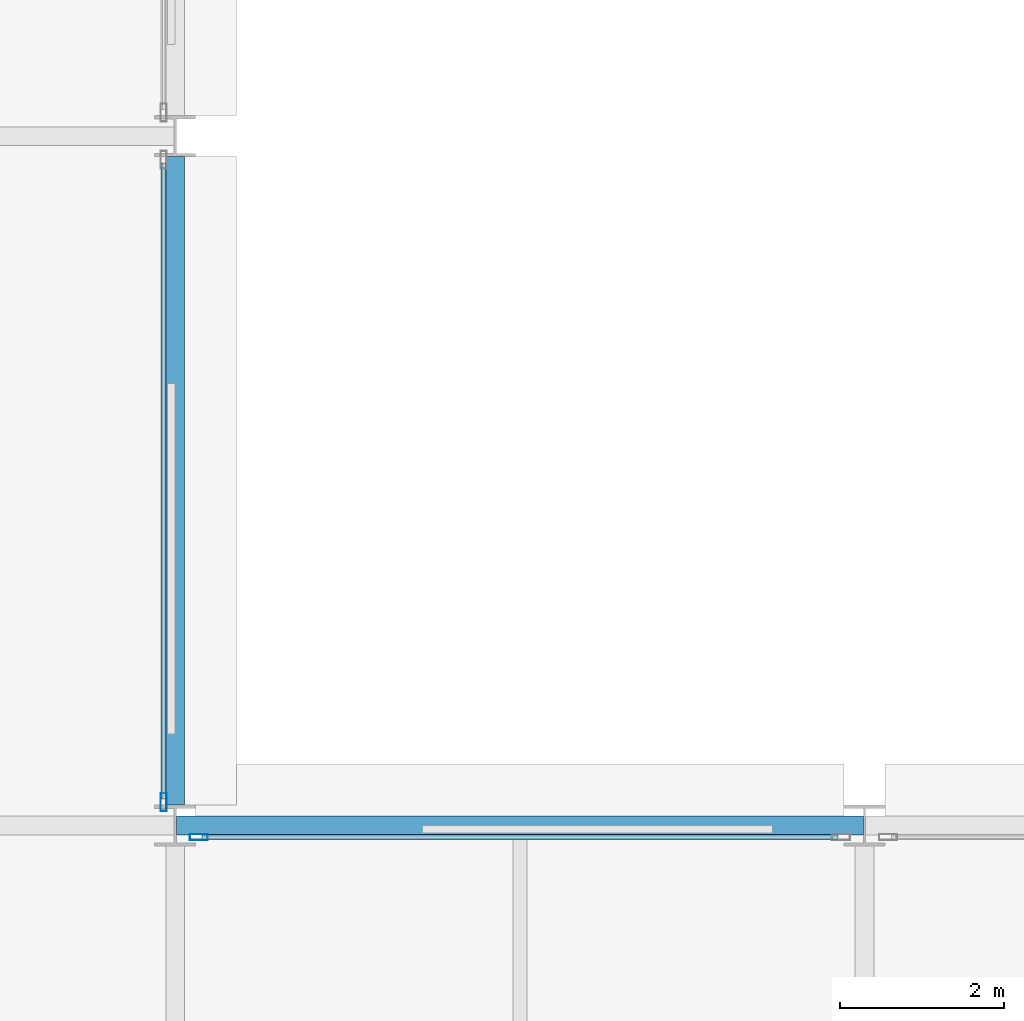
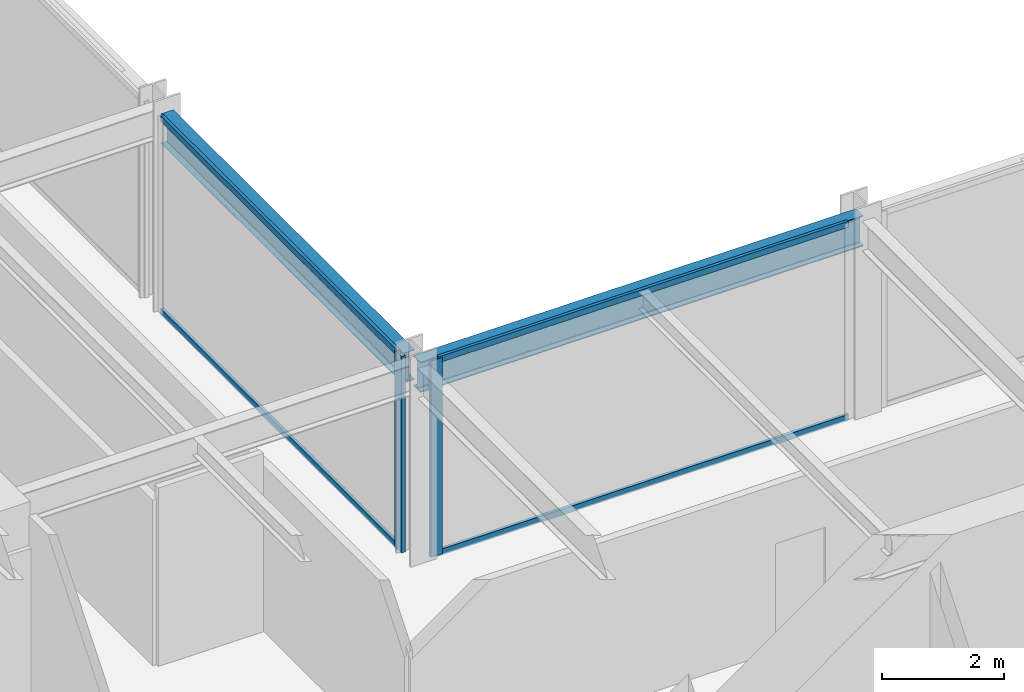
# One storey, part 10 of 27: 6 members, 2 beams, 2 elements without a shape of their own.
"""IFC4 building model written with IfcOpenShell, lengths in metres."""

import ifcopenshell
import ifcopenshell.guid

model = None  # the IFC model being written
_history = None  # IfcOwnerHistory: only IFC2X3 demands one
_inside = {}  # id of a spatial element -> (the spatial element, [elements in it])
_under = {}  # id of a project, library or spatial element -> (it, [spatial elements below it])
_declared = {}  # id of a project -> (the project, [libraries it declares])
_typed = {}  # id of a type object -> (the type object, [elements of that type])
_made_of = {}  # id of a material, layer set ... -> (it, [elements and type objects made of it])


def new_model(schema):
    """Start an empty IFC model of exactly this schema.

    Asked for "IFC4X3", IfcOpenShell would pick the latest addendum, in which some entities
    have other attributes; the version numbers below select the first issue.
    IFC2X3 requires an IfcOwnerHistory on every rooted entity: one is made here for all.
    """
    global model, _history
    if schema == "IFC4X3":
        model = ifcopenshell.file(schema_version=(4, 3, 0, 0))
    else:
        model = ifcopenshell.file(schema=schema)
    _inside.clear()
    _under.clear()
    _declared.clear()
    _typed.clear()
    _made_of.clear()
    _history = None
    if model.schema == "IFC2X3":
        org = make("IfcOrganization", Name="unknown")
        user = make(
            "IfcPersonAndOrganization",
            ThePerson=make("IfcPerson", FamilyName="unknown"),
            TheOrganization=org,
        )
        app = make(
            "IfcApplication",
            ApplicationDeveloper=org,
            Version="unknown",
            ApplicationFullName="unknown",
            ApplicationIdentifier="unknown",
        )
        _history = make(
            "IfcOwnerHistory",
            OwningUser=user,
            OwningApplication=app,
            ChangeAction="ADDED",
            CreationDate=0,
        )
    return model


def make(cls, **values):
    """One entity of the class cls with the attributes given. An attribute that is None is left unset."""
    return model.create_entity(
        cls, **{name: value for name, value in values.items() if value is not None}
    )


def rooted(cls, **values):
    """An entity with a GlobalId (a new one), such as an element, a storey or a relation."""
    return make(cls, GlobalId=ifcopenshell.guid.new(), OwnerHistory=_history, **values)


def si_unit(unit_type, name, prefix=None):
    """IfcSIUnit, for example si_unit("LENGTHUNIT", "METRE", prefix="MILLI")."""
    return make("IfcSIUnit", UnitType=unit_type, Prefix=prefix, Name=name)


def assignment(units):
    """IfcUnitAssignment: the units of a project."""
    return None if units is None else make("IfcUnitAssignment", Units=units)


def point(xyz):
    """IfcCartesianPoint."""
    return None if xyz is None else make("IfcCartesianPoint", Coordinates=xyz)


def direction(xyz):
    """IfcDirection."""
    return None if xyz is None else make("IfcDirection", DirectionRatios=xyz)


def frame(location, z_axis=None, x_axis=None):
    """IfcAxis2Placement3D, a coordinate frame: its origin and axes. An axis left out is left unset."""
    return make(
        "IfcAxis2Placement3D",
        Location=point(location),
        Axis=direction(z_axis),
        RefDirection=direction(x_axis),
    )


def frame_2d(location, x_axis=None):
    """IfcAxis2Placement2D, a coordinate frame in the plane: its origin and x axis."""
    return make(
        "IfcAxis2Placement2D", Location=point(location), RefDirection=direction(x_axis)
    )


def origin():
    """The frame at (0, 0, 0) with its axes left unset."""
    return frame((0.0, 0.0, 0.0))


def origin_2d():
    """The frame at (0, 0) in the plane with its x axis left unset."""
    return frame_2d((0.0, 0.0))


def place(relative_to, where):
    """IfcLocalPlacement: puts the frame where relative to a parent placement (None: the world)."""
    return make(
        "IfcLocalPlacement", PlacementRelTo=relative_to, RelativePlacement=where
    )


def context(
    kind, dimensions, precision=None, world=None, true_north=None, identifier=None
):
    """IfcGeometricRepresentationContext, for example the 3D "Model" context."""
    return make(
        "IfcGeometricRepresentationContext",
        ContextIdentifier=identifier,
        ContextType=kind,
        CoordinateSpaceDimension=dimensions,
        Precision=precision,
        WorldCoordinateSystem=world,
        TrueNorth=true_north,
    )


def subcontext(parent, identifier, kind, view, scale=None):
    """IfcGeometricRepresentationSubContext, for example "Body" below "Model"."""
    return make(
        "IfcGeometricRepresentationSubContext",
        ContextIdentifier=identifier,
        ContextType=kind,
        ParentContext=parent,
        TargetScale=scale,
        TargetView=view,
    )


def project(units=None, contexts=None):
    """IfcProject with its units and contexts."""
    return rooted(
        "IfcProject",
        Name="project",
        RepresentationContexts=contexts,
        UnitsInContext=assignment(units),
    )


def spatial(cls, under=None, at=None, **own):
    """A site, building, storey or space (cls), placed at a placement, below another one or the project."""
    s = rooted(cls, ObjectPlacement=at, **own)
    if under is not None:
        _under.setdefault(under.id(), (under, []))[1].append(s)
    return s


def profile(cls, at=None, kind="AREA", **sizes):
    """A parametric profile (cls). Its sizes go by their IFC names, for example OverallWidth=200.0."""
    return make(cls, ProfileType=kind, Position=at, **sizes)


def hollow_rectangle(**sizes):
    """IfcRectangleHollowProfileDef."""
    return profile("IfcRectangleHollowProfileDef", **sizes)


def i_section(**sizes):
    """IfcIShapeProfileDef."""
    return profile("IfcIShapeProfileDef", **sizes)


def extrude(swept, where, along, depth):
    """IfcExtrudedAreaSolid: the profile swept, set in the frame where, extruded along a direction by depth."""
    return make(
        "IfcExtrudedAreaSolid",
        SweptArea=swept,
        Position=where,
        ExtrudedDirection=direction(along),
        Depth=depth,
    )


def shape(context_of_items, identifier, shape_type, items):
    """IfcShapeRepresentation: the items that make up one representation, for example the "Body"."""
    return make(
        "IfcShapeRepresentation",
        ContextOfItems=context_of_items,
        RepresentationIdentifier=identifier,
        RepresentationType=shape_type,
        Items=items,
    )


def material(Name=None, Category=None):
    """IfcMaterial."""
    return make("IfcMaterial", Name=Name, Category=Category)


def layer(
    of_material, thickness, ventilated=None, Name=None, Category=None, Priority=None
):
    """IfcMaterialLayer: one layer of a wall or slab, of a material (None: an air gap)."""
    return make(
        "IfcMaterialLayer",
        Material=of_material,
        LayerThickness=thickness,
        IsVentilated=ventilated,
        Name=Name,
        Category=Category,
        Priority=Priority,
    )


def layer_set(layers, Name=None):
    """IfcMaterialLayerSet."""
    return make("IfcMaterialLayerSet", MaterialLayers=layers, LayerSetName=Name)


def material_profile(
    of_material, cross_section, Name=None, Category=None, Priority=None
):
    """IfcMaterialProfile: a cross section and its material."""
    return make(
        "IfcMaterialProfile",
        Name=Name,
        Material=of_material,
        Profile=cross_section,
        Priority=Priority,
        Category=Category,
    )


def profile_set(profiles, Name=None, composite=None):
    """IfcMaterialProfileSet."""
    return make(
        "IfcMaterialProfileSet",
        Name=Name,
        MaterialProfiles=profiles,
        CompositeProfile=composite,
    )


def made_of(thing, what):
    """Note that an element or type object is made of a material, layer set ...; save() writes the relation."""
    if what is not None:
        _made_of.setdefault(what.id(), (what, []))[1].append(thing)
    return thing


def type_object(cls, material=None, **own):
    """A type object (cls), such as IfcWallType, which elements share."""
    return made_of(rooted(cls, **own), material)


def element(
    cls,
    number,
    at=None,
    inside=None,
    cuts=None,
    type_object=None,
    material=None,
    context=None,
    identifier="Body",
    shape_type=None,
    held_by="IfcProductDefinitionShape",
    body=None,
    shapes=None,
    **own,
):
    """One element of the class cls, such as IfcWall. Its Tag is "e" and its number.

    at: its placement. inside: the storey or other place that contains it. cuts: it is an
    opening in that element (IfcRelVoidsElement). A single representation is given by context,
    identifier, shape_type and body (its items); several are given by shapes. held_by: the class
    of the entity that holds the representations. save() writes the other relations.
    """
    e = rooted(cls, Tag="e%d" % number, ObjectPlacement=at, **own)
    if body is not None:
        shapes = [shape(context, identifier, shape_type, body)]
    if shapes is not None:
        e.Representation = make(held_by, Representations=shapes)
    if inside is not None:
        _inside.setdefault(inside.id(), (inside, []))[1].append(e)
    if cuts is not None:
        rooted(
            "IfcRelVoidsElement", RelatingBuildingElement=cuts, RelatedOpeningElement=e
        )
    if type_object is not None:
        _typed.setdefault(type_object.id(), (type_object, []))[1].append(e)
    return made_of(e, material)


def aggregate(whole, parts):
    """IfcRelAggregates: a whole, such as a stair, and the parts it consists of."""
    return rooted("IfcRelAggregates", RelatingObject=whole, RelatedObjects=parts)


def save(model, path):
    """Write the relations noted so far, then the file.

    IfcRelAggregates (storeys below a building ...), IfcRelContainedInSpatialStructure (elements
    in a storey), IfcRelDefinesByType, IfcRelAssociatesMaterial and IfcRelDeclares: one each for
    every whole, place, type object, material and project.
    """
    for whole, parts in _under.values():
        aggregate(whole, parts)
    for where, things in _inside.values():
        rooted(
            "IfcRelContainedInSpatialStructure",
            RelatedElements=things,
            RelatingStructure=where,
        )
    for kind, things in _typed.values():
        rooted("IfcRelDefinesByType", RelatedObjects=things, RelatingType=kind)
    for what, things in _made_of.values():
        rooted("IfcRelAssociatesMaterial", RelatedObjects=things, RelatingMaterial=what)
    for by, libraries in _declared.values():
        rooted("IfcRelDeclares", RelatingContext=by, RelatedDefinitions=libraries)
    model.write(path)


model = new_model("IFC4")

# Units and contexts
model_context = context("Model", 3, precision=1e-05, world=origin(), true_north=direction((0.0, 1.0)))
body_context = subcontext(model_context, "Body", "Model", "MODEL_VIEW")
ifc_project = project(units=[si_unit("LENGTHUNIT", "METRE"), si_unit("AREAUNIT", "SQUARE_METRE"), si_unit("VOLUMEUNIT", "CUBIC_METRE"), si_unit("PLANEANGLEUNIT", "RADIAN"), si_unit("MASSUNIT", "GRAM", prefix="KILO")], contexts=[model_context])

# Site, building, storey
site_placement = place(None, origin())
site = spatial("IfcSite", under=ifc_project, at=site_placement, CompositionType="ELEMENT")
building_placement = place(site_placement, origin())
building = spatial("IfcBuilding", under=site, at=building_placement, Name="Nerrivon Quay Data Exchange", CompositionType="ELEMENT")
storey_placement = place(building_placement, frame((0.0, 0.0, 66.800048828125)))
storey = spatial("IfcBuildingStorey", under=building, at=storey_placement, Name="L15", CompositionType="ELEMENT", Elevation=66.800048828125)

# Beams
ifc_material_1 = material(Name="Steel Grade 350", Category="steel")
ifc_material_profile_1 = material_profile(ifc_material_1, i_section(OverallWidth=0.22900390625, OverallDepth=0.612060546875, WebThickness=0.011962890625, FlangeThickness=0.01953125, FilletRadius=0.013916015625, at=origin_2d()), Name="610UB125")
ifc_profile_set_1 = profile_set([ifc_material_profile_1], Name="Steel Grade 350")
beam_type_1 = type_object("IfcBeamType", Name="BM-G1-610UB125", PredefinedType="BEAM", material=ifc_profile_set_1)
beam_1_placement = place(storey_placement, frame((25.214111328125, 25.199951171875, 3.618896484375), z_axis=(1.0, 0.0, 0.0), x_axis=(0.0, 1.0, 0.0)))
element("IfcBeam", 1, at=beam_1_placement, inside=storey, type_object=beam_type_1, Name="L15 EW Girder Y=25.2 (25.2..33.6)", PredefinedType="BEAM", context=body_context, shape_type="SweptSolid", body=[
    extrude(i_section(OverallWidth=0.22900390625, OverallDepth=0.612060546875, WebThickness=0.011962890625, FlangeThickness=0.01953125, FilletRadius=0.013916015625, at=origin_2d()), origin(), (0.0, 0.0, 1.0), 8.371826171875),
])
ifc_material_profile_2 = material_profile(ifc_material_1, i_section(OverallWidth=0.22802734375, OverallDepth=0.60205078125, WebThickness=0.010498046875, FlangeThickness=0.014892578125, FilletRadius=0.013916015625, at=origin_2d()), Name="610UB101")
ifc_profile_set_2 = profile_set([ifc_material_profile_2], Name="Steel Grade 350")
beam_type_2 = type_object("IfcBeamType", Name="BM-G2-610UB101", PredefinedType="BEAM", material=ifc_profile_set_2)
beam_2_placement = place(storey_placement, frame((25.199951171875, 25.449951171875, 3.6240234375), z_axis=(0.0, 1.0, 0.0), x_axis=(-1.0, 0.0, 0.0)))
element("IfcBeam", 2, at=beam_2_placement, inside=storey, type_object=beam_type_2, Name="L15 NS Girder X=25.2 (25.2..33.6)", PredefinedType="BEAM", context=body_context, shape_type="SweptSolid", body=[
    extrude(i_section(OverallWidth=0.22802734375, OverallDepth=0.60205078125, WebThickness=0.010498046875, FlangeThickness=0.014892578125, FilletRadius=0.013916015625, at=origin_2d()), origin(), (0.0, 0.0, 1.0), 7.900146484375),
])

# Curtain wall, member
ifc_material_2 = material(Name="Anodised aluminium 6063-T6", Category="aluminium")
ifc_layer = layer(ifc_material_2, 0.219970703125)
ifc_layer_set = layer_set([ifc_layer], Name="Anodised aluminium 6063-T6")
curtain_wall_type = type_object("IfcCurtainWallType", Name="CW-SYS-01", PredefinedType="NOTDEFINED", material=ifc_layer_set)
curtain_wall_1_placement = place(storey_placement, origin())
curtain_wall_1 = element("IfcCurtainWall", 3, at=curtain_wall_1_placement, inside=storey, type_object=curtain_wall_type, Name="L15 Unitised Curtain Wall 31", PredefinedType="NOTDEFINED")
ifc_material_profile_3 = material_profile(ifc_material_2, hollow_rectangle(XDim=0.074951171875, YDim=0.219970703125, WallThickness=0.00390625, at=origin_2d()), Name="ALU-MULL-220x75")
ifc_profile_set_3 = profile_set([ifc_material_profile_3], Name="Anodised aluminium 6063-T6")
member_type_1 = type_object("IfcMemberType", Name="CWM-220x75", PredefinedType="MULLION", material=ifc_profile_set_3)
member_1_placement = place(storey_placement, frame((25.06005859375, 25.487548828125, 0.0), z_axis=(0.0, 0.0, 1.0), x_axis=(1.0, 0.0, 0.0)))
member_1 = element("IfcMember", 4, at=member_1_placement, type_object=member_type_1, Name="CW01 mullion 2", PredefinedType="MULLION", context=body_context, shape_type="SweptSolid", body=[
    extrude(hollow_rectangle(XDim=0.074951171875, YDim=0.219970703125, WallThickness=0.00390625, at=origin_2d()), origin(), (0.0, 0.0, 1.0), 3.925048828125),
])

curtain_wall_2_placement = place(storey_placement, origin())
curtain_wall_2 = element("IfcCurtainWall", 5, at=curtain_wall_2_placement, inside=storey, type_object=curtain_wall_type, Name="L15 Unitised Curtain Wall 32", PredefinedType="NOTDEFINED")
member_2_placement = place(storey_placement, frame((25.487548828125, 25.06005859375, 0.0), z_axis=(0.0, 0.0, 1.0), x_axis=(0.0, 1.0, 0.0)))
member_2 = element("IfcMember", 6, at=member_2_placement, type_object=member_type_1, Name="CW01 mullion 1", PredefinedType="MULLION", context=body_context, shape_type="SweptSolid", body=[
    extrude(hollow_rectangle(XDim=0.074951171875, YDim=0.219970703125, WallThickness=0.00390625, at=origin_2d()), origin(), (0.0, 0.0, 1.0), 3.925048828125),
])

# Member
ifc_material_profile_4 = material_profile(ifc_material_2, hollow_rectangle(XDim=0.06005859375, YDim=0.1201171875, WallThickness=0.003173828125, at=origin_2d()), Name="ALU-TRAN-120x60")
ifc_profile_set_4 = profile_set([ifc_material_profile_4], Name="Anodised aluminium 6063-T6")
member_type_2 = type_object("IfcMemberType", Name="CWT-120x60", PredefinedType="USERDEFINED", material=ifc_profile_set_4)
member_3_placement = place(storey_placement, frame((25.06005859375, 33.27490234375, 0.032470703125), z_axis=(0.0, -1.0, 0.0), x_axis=(1.0, 0.0, 0.0)))
member_3 = element("IfcMember", 7, at=member_3_placement, type_object=member_type_2, Name="CW01 transom 1.1", ObjectType="TRANSOM", PredefinedType="USERDEFINED", context=body_context, shape_type="SweptSolid", body=[
    extrude(hollow_rectangle(XDim=0.06005859375, YDim=0.1201171875, WallThickness=0.003173828125, at=origin_2d()), origin(), (0.0, 0.0, 1.0), 7.75),
])

member_4_placement = place(storey_placement, frame((25.06005859375, 33.27490234375, 3.892333984375), z_axis=(0.0, -1.0, 0.0), x_axis=(1.0, 0.0, 0.0)))
member_4 = element("IfcMember", 8, at=member_4_placement, type_object=member_type_2, Name="CW01 transom 1.2", ObjectType="TRANSOM", PredefinedType="USERDEFINED", context=body_context, shape_type="SweptSolid", body=[
    extrude(hollow_rectangle(XDim=0.06005859375, YDim=0.1201171875, WallThickness=0.003173828125, at=origin_2d()), origin(), (0.0, 0.0, 1.0), 7.75),
])

aggregate(curtain_wall_1, [member_1, member_3, member_4])

member_5_placement = place(storey_placement, frame((25.52490234375, 25.06005859375, 0.032470703125), z_axis=(1.0, 0.0, 0.0), x_axis=(0.0, 1.0, 0.0)))
member_5 = element("IfcMember", 9, at=member_5_placement, type_object=member_type_2, Name="CW01 transom 1.1", ObjectType="TRANSOM", PredefinedType="USERDEFINED", context=body_context, shape_type="SweptSolid", body=[
    extrude(hollow_rectangle(XDim=0.06005859375, YDim=0.1201171875, WallThickness=0.003173828125, at=origin_2d()), origin(), (0.0, 0.0, 1.0), 7.75),
])

member_6_placement = place(storey_placement, frame((25.52490234375, 25.06005859375, 3.892333984375), z_axis=(1.0, 0.0, 0.0), x_axis=(0.0, 1.0, 0.0)))
member_6 = element("IfcMember", 10, at=member_6_placement, type_object=member_type_2, Name="CW01 transom 1.2", ObjectType="TRANSOM", PredefinedType="USERDEFINED", context=body_context, shape_type="SweptSolid", body=[
    extrude(hollow_rectangle(XDim=0.06005859375, YDim=0.1201171875, WallThickness=0.003173828125, at=origin_2d()), origin(), (0.0, 0.0, 1.0), 7.75),
])

aggregate(curtain_wall_2, [member_2, member_5, member_6])

save(model, "model.ifc")
